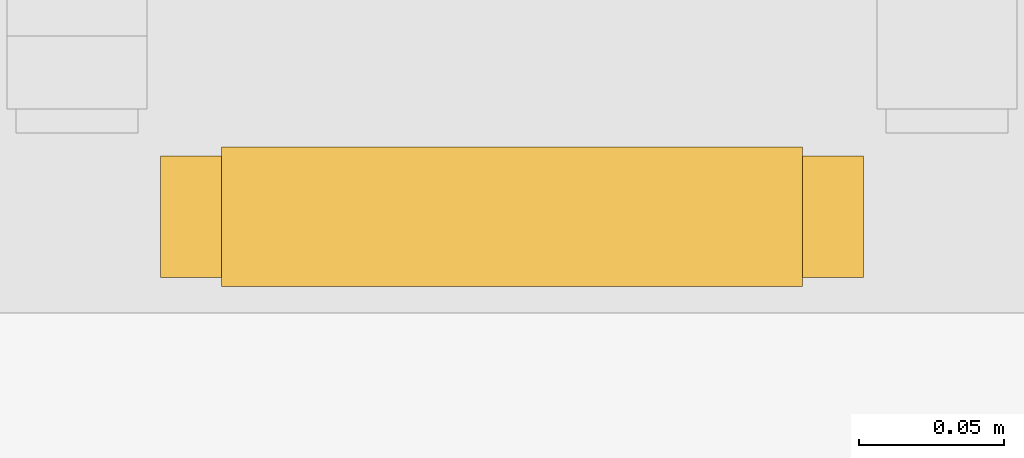
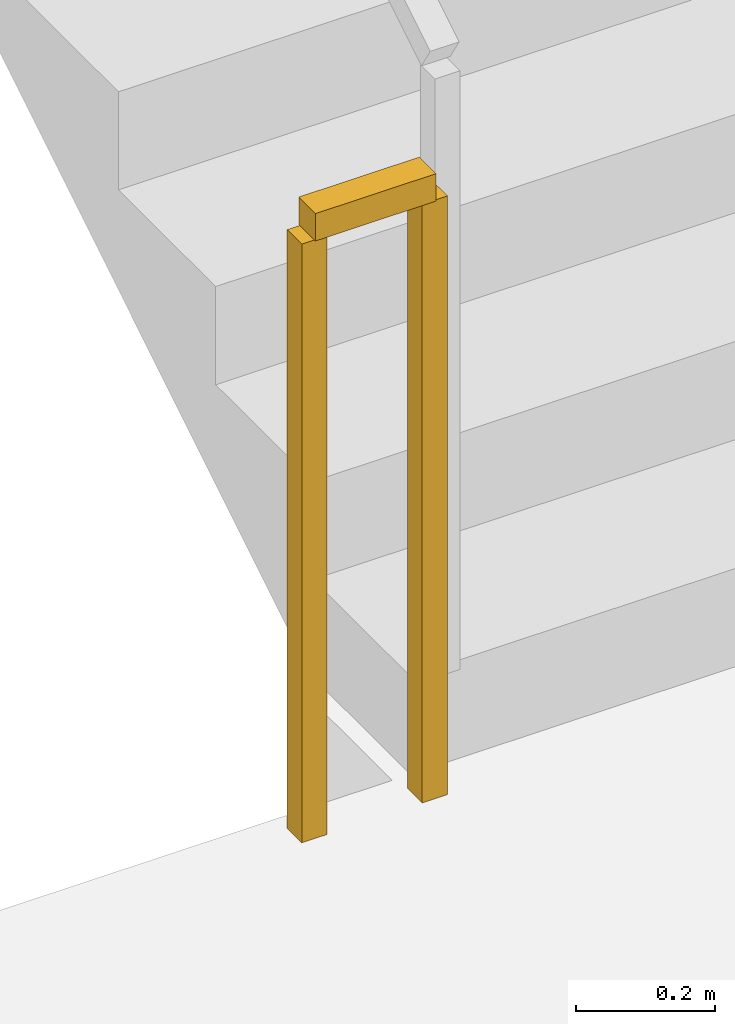
# One storey, part 8 of 11: 1 railing.
"""IFC4 building model written with IfcOpenShell, lengths in metres."""

from ifc_helpers import new_model, si_unit, direction, frame, origin, origin_2d, place, context, subcontext, project, spatial, rectangle, extrude, material, type_object, element, save


model = new_model("IFC4")

# Units and contexts
model_context = context("Model", 3, precision=1e-05, world=origin(), true_north=direction((0.0, 1.0)))
body_context = subcontext(model_context, "Body", "Model", "MODEL_VIEW")
ifc_project = project(units=[si_unit("LENGTHUNIT", "METRE"), si_unit("AREAUNIT", "SQUARE_METRE"), si_unit("VOLUMEUNIT", "CUBIC_METRE"), si_unit("PLANEANGLEUNIT", "RADIAN"), si_unit("MASSUNIT", "GRAM", prefix="KILO")], contexts=[model_context])

# Site, building, storey
site_placement = place(None, origin())
site = spatial("IfcSite", under=ifc_project, at=site_placement, CompositionType="ELEMENT")
building_placement = place(site_placement, origin())
building = spatial("IfcBuilding", under=site, at=building_placement, Name="Haldorwick Loom Tower", CompositionType="ELEMENT")
storey_placement = place(building_placement, frame((0.0, 0.0, 227.10009765625)))
storey = spatial("IfcBuildingStorey", under=building, at=storey_placement, Name="L61", CompositionType="ELEMENT", Elevation=227.10009765625)

# Railing
ifc_material = material(Name="Steel CSA G40.21 350W", Category="steel")
railing_type = type_object("IfcRailingType", Name="ARC-RLG-GUARD112", PredefinedType="GUARDRAIL", material=ifc_material)
railing_placement = place(storey_placement, frame((31.85009765625, 28.35009765625, 0.0)))
element("IfcRailing", 1, at=railing_placement, inside=storey, type_object=railing_type, Name="L61 ST-03 stair guard 4", PredefinedType="GUARDRAIL", context=body_context, shape_type="SweptSolid", body=[
    extrude(rectangle(XDim=0.048095703125, YDim=0.048095703125, at=origin_2d()), frame((0.0, 0.0, 1.076171875), z_axis=(-1.0, 0.0, 0.0), x_axis=(0.0, -1.0, 0.0)), (0.0, 0.0, 1.0), 0.2001953125),
    extrude(rectangle(XDim=0.0419921875, YDim=0.0419921875, at=origin_2d()), origin(), (0.0, 0.0, 1.0), 1.052001953125),
    extrude(rectangle(XDim=0.0419921875, YDim=0.0419921875, at=origin_2d()), frame((-0.2001953125, 0.0, 0.0)), (0.0, 0.0, 1.0), 1.052001953125),
])

save(model, "model.ifc")
